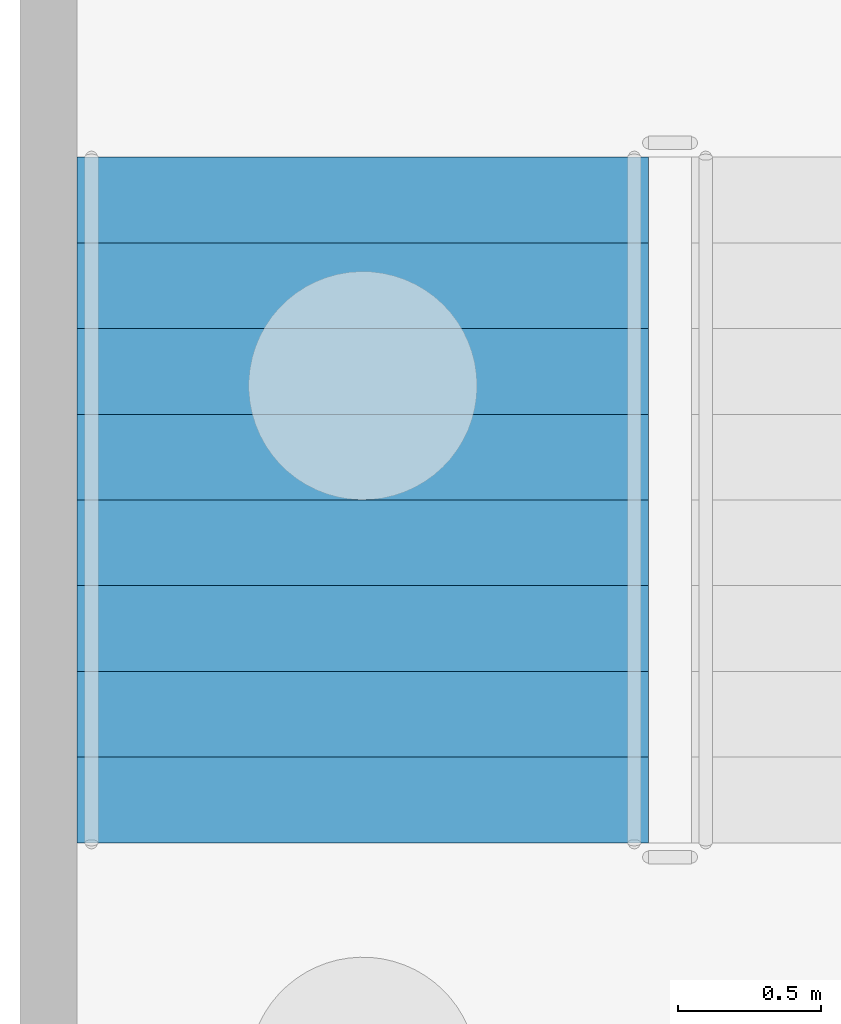
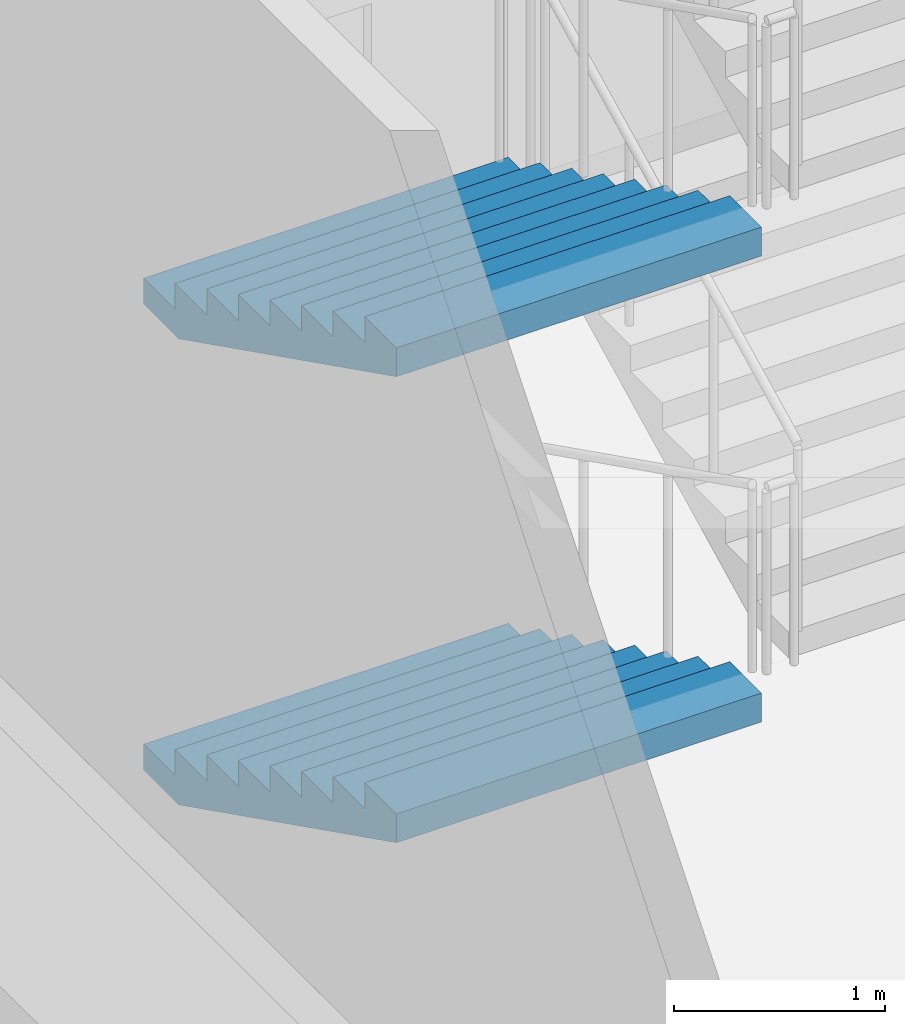
# One storey, part 86 of 129: 2 stair flights, 1 element without a shape of its own.
"""IFC4 building model written with IfcOpenShell, lengths in metres."""

from ifc_helpers import new_model, si_unit, direction, frame, origin, place, context, subcontext, project, spatial, faceted_brep, material, type_object, element, aggregate, save


model = new_model("IFC4")

# Units and contexts
model_context = context("Model", 3, precision=1e-05, world=origin(), true_north=direction((0.0, 1.0)))
body_context = subcontext(model_context, "Body", "Model", "MODEL_VIEW")
ifc_project = project(units=[si_unit("LENGTHUNIT", "METRE"), si_unit("AREAUNIT", "SQUARE_METRE"), si_unit("VOLUMEUNIT", "CUBIC_METRE"), si_unit("PLANEANGLEUNIT", "RADIAN"), si_unit("MASSUNIT", "GRAM", prefix="KILO")], contexts=[model_context])

# Site, building, storey
site_placement = place(None, origin())
site = spatial("IfcSite", under=ifc_project, at=site_placement, CompositionType="ELEMENT")
building_placement = place(site_placement, origin())
building = spatial("IfcBuilding", under=site, at=building_placement, Name="Kiln Court Media Centre", CompositionType="ELEMENT")
storey_placement = place(building_placement, origin())
storey = spatial("IfcBuildingStorey", under=building, at=storey_placement, Name="L00", CompositionType="ELEMENT", Elevation=0.0)

# Stair, stair flights
ifc_material_1 = material(Name="Concrete C40/50", Category="concrete")
stair_type = type_object("IfcStairType", Name="Concrete C40/50 dog-leg stair 2000 wide, 150 riser", PredefinedType="HALF_TURN_STAIR", material=ifc_material_1)
stair_placement = place(storey_placement, origin())
stair = element("IfcStair", 1, at=stair_placement, inside=storey, type_object=stair_type, Name="ST-07 L00", PredefinedType="HALF_TURN_STAIR")
ifc_material_2 = material(Name="Concrete C40/50", Category="concrete")
stair_flight_type = type_object("IfcStairFlightType", Name="Concrete C40/50 stair flight 2000 wide, 150 riser, 300 going", PredefinedType="STRAIGHT", material=ifc_material_2)
stair_flight_1_placement = place(storey_placement, frame((1.199951171875, 64.39990234375, 0.0), z_axis=(0.0, 0.0, 1.0), x_axis=(0.0, -1.0, 0.0)))
stair_flight_1 = element("IfcStairFlight", 2, at=stair_flight_1_placement, type_object=stair_flight_type, Name="L00-ST-5006 flight 5024", NumberOfRisers=9, NumberOfTreads=8, PredefinedType="STRAIGHT", RiserHeight=0.15, TreadLength=0.3, context=body_context, shape_type="Brep", body=[
    faceted_brep([(0.335205078125, -1.0, 0.0), (2.39990234375, -1.0, 1.032470703125), (2.39990234375, -1.0, 1.199951171875), (2.10009765625, -1.0, 1.199951171875), (2.10009765625, -1.0, 1.050048828125), (1.800048828125, -1.0, 1.050048828125), (1.800048828125, -1.0, 0.89990234375), (1.5, -1.0, 0.89990234375), (1.5, -1.0, 0.75), (1.199951171875, -1.0, 0.75), (1.199951171875, -1.0, 0.60009765625), (0.89990234375, -1.0, 0.60009765625), (0.89990234375, -1.0, 0.449951171875), (0.60009765625, -1.0, 0.449951171875), (0.60009765625, -1.0, 0.300048828125), (0.300048828125, -1.0, 0.300048828125), (0.300048828125, -1.0, 0.14990234375), (0.0, -1.0, 0.14990234375), (0.0, -1.0, 0.0), (0.0, 1.0, 0.0), (0.0, 1.0, 0.14990234375), (0.300048828125, 1.0, 0.14990234375), (0.300048828125, 1.0, 0.300048828125), (0.60009765625, 1.0, 0.300048828125), (0.60009765625, 1.0, 0.449951171875), (0.89990234375, 1.0, 0.449951171875), (0.89990234375, 1.0, 0.60009765625), (1.199951171875, 1.0, 0.60009765625), (1.199951171875, 1.0, 0.75), (1.5, 1.0, 0.75), (1.5, 1.0, 0.89990234375), (1.800048828125, 1.0, 0.89990234375), (1.800048828125, 1.0, 1.050048828125), (2.10009765625, 1.0, 1.050048828125), (2.10009765625, 1.0, 1.199951171875), (2.39990234375, 1.0, 1.199951171875), (2.39990234375, 1.0, 1.032470703125), (0.335205078125, 1.0, 0.0), (2.39990234375, 0.10009765625, 1.032470703125), (0.335205078125, 0.10009765625, 0.0), (2.39990234375, 0.080078125, 1.032470703125), (0.335205078125, 0.080078125, 0.0), (2.39990234375, 0.06005859375, 1.032470703125), (0.335205078125, 0.06005859375, 0.0), (2.39990234375, 0.0400390625, 1.032470703125), (0.335205078125, 0.0400390625, 0.0), (2.39990234375, 0.02001953125, 1.032470703125), (0.335205078125, 0.02001953125, 0.0), (2.39990234375, 0.0, 1.032470703125), (0.335205078125, 0.0, 0.0), (2.39990234375, -0.02001953125, 1.032470703125), (0.335205078125, -0.02001953125, 0.0), (2.39990234375, -0.0400390625, 1.032470703125), (0.335205078125, -0.0400390625, 0.0), (2.39990234375, -0.06005859375, 1.032470703125), (0.335205078125, -0.06005859375, 0.0), (2.39990234375, -0.080078125, 1.032470703125), (0.335205078125, -0.080078125, 0.0), (2.39990234375, -0.10009765625, 1.032470703125), (0.335205078125, -0.10009765625, 0.0), (2.39990234375, 0.10009765625, 1.199951171875), (2.39990234375, 0.080078125, 1.199951171875), (2.39990234375, 0.06005859375, 1.199951171875), (2.39990234375, 0.0400390625, 1.199951171875), (2.39990234375, 0.02001953125, 1.199951171875), (2.39990234375, 0.0, 1.199951171875), (2.39990234375, -0.02001953125, 1.199951171875), (2.39990234375, -0.0400390625, 1.199951171875), (2.39990234375, -0.06005859375, 1.199951171875), (2.39990234375, -0.080078125, 1.199951171875), (2.39990234375, -0.10009765625, 1.199951171875), (2.10009765625, 0.10009765625, 1.199951171875), (2.10009765625, 0.080078125, 1.199951171875), (2.10009765625, 0.06005859375, 1.199951171875), (2.10009765625, 0.0400390625, 1.199951171875), (2.10009765625, 0.02001953125, 1.199951171875), (2.10009765625, 0.0, 1.199951171875), (2.10009765625, -0.02001953125, 1.199951171875), (2.10009765625, -0.0400390625, 1.199951171875), (2.10009765625, -0.06005859375, 1.199951171875), (2.10009765625, -0.080078125, 1.199951171875), (2.10009765625, -0.10009765625, 1.199951171875), (2.10009765625, 0.10009765625, 1.050048828125), (2.10009765625, 0.080078125, 1.050048828125), (2.10009765625, 0.06005859375, 1.050048828125), (2.10009765625, 0.0400390625, 1.050048828125), (2.10009765625, 0.02001953125, 1.050048828125), (2.10009765625, 0.0, 1.050048828125), (2.10009765625, -0.02001953125, 1.050048828125), (2.10009765625, -0.0400390625, 1.050048828125), (2.10009765625, -0.06005859375, 1.050048828125), (2.10009765625, -0.080078125, 1.050048828125), (2.10009765625, -0.10009765625, 1.050048828125), (1.800048828125, 0.10009765625, 1.050048828125), (1.800048828125, 0.080078125, 1.050048828125), (1.800048828125, 0.06005859375, 1.050048828125), (1.800048828125, 0.0400390625, 1.050048828125), (1.800048828125, 0.02001953125, 1.050048828125), (1.800048828125, 0.0, 1.050048828125), (1.800048828125, -0.02001953125, 1.050048828125), (1.800048828125, -0.0400390625, 1.050048828125), (1.800048828125, -0.06005859375, 1.050048828125), (1.800048828125, -0.080078125, 1.050048828125), (1.800048828125, -0.10009765625, 1.050048828125), (1.800048828125, 0.10009765625, 0.89990234375), (1.800048828125, 0.080078125, 0.89990234375), (1.800048828125, 0.06005859375, 0.89990234375), (1.800048828125, 0.0400390625, 0.89990234375), (1.800048828125, 0.02001953125, 0.89990234375), (1.800048828125, 0.0, 0.89990234375), (1.800048828125, -0.02001953125, 0.89990234375), (1.800048828125, -0.0400390625, 0.89990234375), (1.800048828125, -0.06005859375, 0.89990234375), (1.800048828125, -0.080078125, 0.89990234375), (1.800048828125, -0.10009765625, 0.89990234375), (1.5, 0.10009765625, 0.89990234375), (1.5, 0.080078125, 0.89990234375), (1.5, 0.06005859375, 0.89990234375), (1.5, 0.0400390625, 0.89990234375), (1.5, 0.02001953125, 0.89990234375), (1.5, 0.0, 0.89990234375), (1.5, -0.02001953125, 0.89990234375), (1.5, -0.0400390625, 0.89990234375), (1.5, -0.06005859375, 0.89990234375), (1.5, -0.080078125, 0.89990234375), (1.5, -0.10009765625, 0.89990234375), (1.5, 0.10009765625, 0.75), (1.5, 0.080078125, 0.75), (1.5, 0.06005859375, 0.75), (1.5, 0.0400390625, 0.75), (1.5, 0.02001953125, 0.75), (1.5, 0.0, 0.75), (1.5, -0.02001953125, 0.75), (1.5, -0.0400390625, 0.75), (1.5, -0.06005859375, 0.75), (1.5, -0.080078125, 0.75), (1.5, -0.10009765625, 0.75), (1.199951171875, 0.10009765625, 0.75), (1.199951171875, 0.080078125, 0.75), (1.199951171875, 0.06005859375, 0.75), (1.199951171875, 0.0400390625, 0.75), (1.199951171875, 0.02001953125, 0.75), (1.199951171875, 0.0, 0.75), (1.199951171875, -0.02001953125, 0.75), (1.199951171875, -0.0400390625, 0.75), (1.199951171875, -0.06005859375, 0.75), (1.199951171875, -0.080078125, 0.75), (1.199951171875, -0.10009765625, 0.75), (1.199951171875, 0.10009765625, 0.60009765625), (1.199951171875, 0.080078125, 0.60009765625), (1.199951171875, 0.06005859375, 0.60009765625), (1.199951171875, 0.0400390625, 0.60009765625), (1.199951171875, 0.02001953125, 0.60009765625), (1.199951171875, 0.0, 0.60009765625), (1.199951171875, -0.02001953125, 0.60009765625), (1.199951171875, -0.0400390625, 0.60009765625), (1.199951171875, -0.06005859375, 0.60009765625), (1.199951171875, -0.080078125, 0.60009765625), (1.199951171875, -0.10009765625, 0.60009765625), (0.89990234375, 0.10009765625, 0.60009765625), (0.89990234375, 0.080078125, 0.60009765625), (0.89990234375, 0.06005859375, 0.60009765625), (0.89990234375, 0.0400390625, 0.60009765625), (0.89990234375, 0.02001953125, 0.60009765625), (0.89990234375, 0.0, 0.60009765625), (0.89990234375, -0.02001953125, 0.60009765625), (0.89990234375, -0.0400390625, 0.60009765625), (0.89990234375, -0.06005859375, 0.60009765625), (0.89990234375, -0.080078125, 0.60009765625), (0.89990234375, -0.10009765625, 0.60009765625), (0.89990234375, 0.10009765625, 0.449951171875), (0.89990234375, 0.080078125, 0.449951171875), (0.89990234375, 0.06005859375, 0.449951171875), (0.89990234375, 0.0400390625, 0.449951171875), (0.89990234375, 0.02001953125, 0.449951171875), (0.89990234375, 0.0, 0.449951171875), (0.89990234375, -0.02001953125, 0.449951171875), (0.89990234375, -0.0400390625, 0.449951171875), (0.89990234375, -0.06005859375, 0.449951171875), (0.89990234375, -0.080078125, 0.449951171875), (0.89990234375, -0.10009765625, 0.449951171875), (0.60009765625, 0.10009765625, 0.449951171875), (0.60009765625, 0.080078125, 0.449951171875), (0.60009765625, 0.06005859375, 0.449951171875), (0.60009765625, 0.0400390625, 0.449951171875), (0.60009765625, 0.02001953125, 0.449951171875), (0.60009765625, 0.0, 0.449951171875), (0.60009765625, -0.02001953125, 0.449951171875), (0.60009765625, -0.0400390625, 0.449951171875), (0.60009765625, -0.06005859375, 0.449951171875), (0.60009765625, -0.080078125, 0.449951171875), (0.60009765625, -0.10009765625, 0.449951171875), (0.60009765625, 0.10009765625, 0.300048828125), (0.60009765625, 0.080078125, 0.300048828125), (0.60009765625, 0.06005859375, 0.300048828125), (0.60009765625, 0.0400390625, 0.300048828125), (0.60009765625, 0.02001953125, 0.300048828125), (0.60009765625, 0.0, 0.300048828125), (0.60009765625, -0.02001953125, 0.300048828125), (0.60009765625, -0.0400390625, 0.300048828125), (0.60009765625, -0.06005859375, 0.300048828125), (0.60009765625, -0.080078125, 0.300048828125), (0.60009765625, -0.10009765625, 0.300048828125), (0.300048828125, 0.10009765625, 0.300048828125), (0.300048828125, 0.080078125, 0.300048828125), (0.300048828125, 0.06005859375, 0.300048828125), (0.300048828125, 0.0400390625, 0.300048828125), (0.300048828125, 0.02001953125, 0.300048828125), (0.300048828125, 0.0, 0.300048828125), (0.300048828125, -0.02001953125, 0.300048828125), (0.300048828125, -0.0400390625, 0.300048828125), (0.300048828125, -0.06005859375, 0.300048828125), (0.300048828125, -0.080078125, 0.300048828125), (0.300048828125, -0.10009765625, 0.300048828125), (0.300048828125, 0.10009765625, 0.14990234375), (0.300048828125, 0.080078125, 0.14990234375), (0.300048828125, 0.06005859375, 0.14990234375), (0.300048828125, 0.0400390625, 0.14990234375), (0.300048828125, 0.02001953125, 0.14990234375), (0.300048828125, 0.0, 0.14990234375), (0.300048828125, -0.02001953125, 0.14990234375), (0.300048828125, -0.0400390625, 0.14990234375), (0.300048828125, -0.06005859375, 0.14990234375), (0.300048828125, -0.080078125, 0.14990234375), (0.300048828125, -0.10009765625, 0.14990234375), (0.0, 0.10009765625, 0.14990234375), (0.0, 0.080078125, 0.14990234375), (0.0, 0.06005859375, 0.14990234375), (0.0, 0.0400390625, 0.14990234375), (0.0, 0.02001953125, 0.14990234375), (0.0, 0.0, 0.14990234375), (0.0, -0.02001953125, 0.14990234375), (0.0, -0.0400390625, 0.14990234375), (0.0, -0.06005859375, 0.14990234375), (0.0, -0.080078125, 0.14990234375), (0.0, -0.10009765625, 0.14990234375), (0.0, 0.10009765625, 0.0), (0.0, 0.080078125, 0.0), (0.0, 0.06005859375, 0.0), (0.0, 0.0400390625, 0.0), (0.0, 0.02001953125, 0.0), (0.0, 0.0, 0.0), (0.0, -0.02001953125, 0.0), (0.0, -0.0400390625, 0.0), (0.0, -0.06005859375, 0.0), (0.0, -0.080078125, 0.0), (0.0, -0.10009765625, 0.0)], [[[0, 1, 2, 3, 4, 5, 6, 7, 8, 9, 10, 11, 12, 13, 14, 15, 16, 17, 18]], [[19, 20, 21, 22, 23, 24, 25, 26, 27, 28, 29, 30, 31, 32, 33, 34, 35, 36, 37]], [[37, 36, 38, 39]], [[39, 38, 40, 41]], [[41, 40, 42, 43]], [[43, 42, 44, 45]], [[45, 44, 46, 47]], [[47, 46, 48, 49]], [[49, 48, 50, 51]], [[51, 50, 52, 53]], [[53, 52, 54, 55]], [[55, 54, 56, 57]], [[57, 56, 58, 59]], [[59, 58, 1, 0]], [[36, 35, 60, 38]], [[38, 60, 61, 40]], [[40, 61, 62, 42]], [[42, 62, 63, 44]], [[44, 63, 64, 46]], [[46, 64, 65, 48]], [[48, 65, 66, 50]], [[50, 66, 67, 52]], [[52, 67, 68, 54]], [[54, 68, 69, 56]], [[56, 69, 70, 58]], [[58, 70, 2, 1]], [[35, 34, 71, 60]], [[60, 71, 72, 61]], [[61, 72, 73, 62]], [[62, 73, 74, 63]], [[63, 74, 75, 64]], [[64, 75, 76, 65]], [[65, 76, 77, 66]], [[66, 77, 78, 67]], [[67, 78, 79, 68]], [[68, 79, 80, 69]], [[69, 80, 81, 70]], [[70, 81, 3, 2]], [[34, 33, 82, 71]], [[71, 82, 83, 72]], [[72, 83, 84, 73]], [[73, 84, 85, 74]], [[74, 85, 86, 75]], [[75, 86, 87, 76]], [[76, 87, 88, 77]], [[77, 88, 89, 78]], [[78, 89, 90, 79]], [[79, 90, 91, 80]], [[80, 91, 92, 81]], [[81, 92, 4, 3]], [[33, 32, 93, 82]], [[82, 93, 94, 83]], [[83, 94, 95, 84]], [[84, 95, 96, 85]], [[85, 96, 97, 86]], [[86, 97, 98, 87]], [[87, 98, 99, 88]], [[88, 99, 100, 89]], [[89, 100, 101, 90]], [[90, 101, 102, 91]], [[91, 102, 103, 92]], [[92, 103, 5, 4]], [[32, 31, 104, 93]], [[93, 104, 105, 94]], [[94, 105, 106, 95]], [[95, 106, 107, 96]], [[96, 107, 108, 97]], [[97, 108, 109, 98]], [[98, 109, 110, 99]], [[99, 110, 111, 100]], [[100, 111, 112, 101]], [[101, 112, 113, 102]], [[102, 113, 114, 103]], [[103, 114, 6, 5]], [[31, 30, 115, 104]], [[104, 115, 116, 105]], [[105, 116, 117, 106]], [[106, 117, 118, 107]], [[107, 118, 119, 108]], [[108, 119, 120, 109]], [[109, 120, 121, 110]], [[110, 121, 122, 111]], [[111, 122, 123, 112]], [[112, 123, 124, 113]], [[113, 124, 125, 114]], [[114, 125, 7, 6]], [[30, 29, 126, 115]], [[115, 126, 127, 116]], [[116, 127, 128, 117]], [[117, 128, 129, 118]], [[118, 129, 130, 119]], [[119, 130, 131, 120]], [[120, 131, 132, 121]], [[121, 132, 133, 122]], [[122, 133, 134, 123]], [[123, 134, 135, 124]], [[124, 135, 136, 125]], [[125, 136, 8, 7]], [[29, 28, 137, 126]], [[126, 137, 138, 127]], [[127, 138, 139, 128]], [[128, 139, 140, 129]], [[129, 140, 141, 130]], [[130, 141, 142, 131]], [[131, 142, 143, 132]], [[132, 143, 144, 133]], [[133, 144, 145, 134]], [[134, 145, 146, 135]], [[135, 146, 147, 136]], [[136, 147, 9, 8]], [[28, 27, 148, 137]], [[137, 148, 149, 138]], [[138, 149, 150, 139]], [[139, 150, 151, 140]], [[140, 151, 152, 141]], [[141, 152, 153, 142]], [[142, 153, 154, 143]], [[143, 154, 155, 144]], [[144, 155, 156, 145]], [[145, 156, 157, 146]], [[146, 157, 158, 147]], [[147, 158, 10, 9]], [[27, 26, 159, 148]], [[148, 159, 160, 149]], [[149, 160, 161, 150]], [[150, 161, 162, 151]], [[151, 162, 163, 152]], [[152, 163, 164, 153]], [[153, 164, 165, 154]], [[154, 165, 166, 155]], [[155, 166, 167, 156]], [[156, 167, 168, 157]], [[157, 168, 169, 158]], [[158, 169, 11, 10]], [[26, 25, 170, 159]], [[159, 170, 171, 160]], [[160, 171, 172, 161]], [[161, 172, 173, 162]], [[162, 173, 174, 163]], [[163, 174, 175, 164]], [[164, 175, 176, 165]], [[165, 176, 177, 166]], [[166, 177, 178, 167]], [[167, 178, 179, 168]], [[168, 179, 180, 169]], [[169, 180, 12, 11]], [[25, 24, 181, 170]], [[170, 181, 182, 171]], [[171, 182, 183, 172]], [[172, 183, 184, 173]], [[173, 184, 185, 174]], [[174, 185, 186, 175]], [[175, 186, 187, 176]], [[176, 187, 188, 177]], [[177, 188, 189, 178]], [[178, 189, 190, 179]], [[179, 190, 191, 180]], [[180, 191, 13, 12]], [[24, 23, 192, 181]], [[181, 192, 193, 182]], [[182, 193, 194, 183]], [[183, 194, 195, 184]], [[184, 195, 196, 185]], [[185, 196, 197, 186]], [[186, 197, 198, 187]], [[187, 198, 199, 188]], [[188, 199, 200, 189]], [[189, 200, 201, 190]], [[190, 201, 202, 191]], [[191, 202, 14, 13]], [[23, 22, 203, 192]], [[192, 203, 204, 193]], [[193, 204, 205, 194]], [[194, 205, 206, 195]], [[195, 206, 207, 196]], [[196, 207, 208, 197]], [[197, 208, 209, 198]], [[198, 209, 210, 199]], [[199, 210, 211, 200]], [[200, 211, 212, 201]], [[201, 212, 213, 202]], [[202, 213, 15, 14]], [[22, 21, 214, 203]], [[203, 214, 215, 204]], [[204, 215, 216, 205]], [[205, 216, 217, 206]], [[206, 217, 218, 207]], [[207, 218, 219, 208]], [[208, 219, 220, 209]], [[209, 220, 221, 210]], [[210, 221, 222, 211]], [[211, 222, 223, 212]], [[212, 223, 224, 213]], [[213, 224, 16, 15]], [[21, 20, 225, 214]], [[214, 225, 226, 215]], [[215, 226, 227, 216]], [[216, 227, 228, 217]], [[217, 228, 229, 218]], [[218, 229, 230, 219]], [[219, 230, 231, 220]], [[220, 231, 232, 221]], [[221, 232, 233, 222]], [[222, 233, 234, 223]], [[223, 234, 235, 224]], [[224, 235, 17, 16]], [[20, 19, 236, 225]], [[225, 236, 237, 226]], [[226, 237, 238, 227]], [[227, 238, 239, 228]], [[228, 239, 240, 229]], [[229, 240, 241, 230]], [[230, 241, 242, 231]], [[231, 242, 243, 232]], [[232, 243, 244, 233]], [[233, 244, 245, 234]], [[234, 245, 246, 235]], [[235, 246, 18, 17]], [[19, 37, 39, 236]], [[236, 39, 41, 237]], [[237, 41, 43, 238]], [[238, 43, 45, 239]], [[239, 45, 47, 240]], [[240, 47, 49, 241]], [[241, 49, 51, 242]], [[242, 51, 53, 243]], [[243, 53, 55, 244]], [[244, 55, 57, 245]], [[245, 57, 59, 246]], [[246, 59, 0, 18]]]),
])
stair_flight_2_placement = place(storey_placement, frame((1.199951171875, 64.39990234375, 2.699951171875), z_axis=(0.0, 0.0, 1.0), x_axis=(0.0, -1.0, 0.0)))
stair_flight_2 = element("IfcStairFlight", 3, at=stair_flight_2_placement, type_object=stair_flight_type, Name="L00-ST-5006 flight 5026", NumberOfRisers=9, NumberOfTreads=8, PredefinedType="STRAIGHT", RiserHeight=0.15, TreadLength=0.3, context=body_context, shape_type="Brep", body=[
    faceted_brep([(0.335205078125, -1.0, 0.0), (2.39990234375, -1.0, 1.032470703125), (2.39990234375, -1.0, 1.199951171875), (2.10009765625, -1.0, 1.199951171875), (2.10009765625, -1.0, 1.050048828125), (1.800048828125, -1.0, 1.050048828125), (1.800048828125, -1.0, 0.89990234375), (1.5, -1.0, 0.89990234375), (1.5, -1.0, 0.75), (1.199951171875, -1.0, 0.75), (1.199951171875, -1.0, 0.60009765625), (0.89990234375, -1.0, 0.60009765625), (0.89990234375, -1.0, 0.449951171875), (0.60009765625, -1.0, 0.449951171875), (0.60009765625, -1.0, 0.300048828125), (0.300048828125, -1.0, 0.300048828125), (0.300048828125, -1.0, 0.14990234375), (0.0, -1.0, 0.14990234375), (0.0, -1.0, 0.0), (0.0, 1.0, 0.0), (0.0, 1.0, 0.14990234375), (0.300048828125, 1.0, 0.14990234375), (0.300048828125, 1.0, 0.300048828125), (0.60009765625, 1.0, 0.300048828125), (0.60009765625, 1.0, 0.449951171875), (0.89990234375, 1.0, 0.449951171875), (0.89990234375, 1.0, 0.60009765625), (1.199951171875, 1.0, 0.60009765625), (1.199951171875, 1.0, 0.75), (1.5, 1.0, 0.75), (1.5, 1.0, 0.89990234375), (1.800048828125, 1.0, 0.89990234375), (1.800048828125, 1.0, 1.050048828125), (2.10009765625, 1.0, 1.050048828125), (2.10009765625, 1.0, 1.199951171875), (2.39990234375, 1.0, 1.199951171875), (2.39990234375, 1.0, 1.032470703125), (0.335205078125, 1.0, 0.0), (2.39990234375, 0.10009765625, 1.032470703125), (0.335205078125, 0.10009765625, 0.0), (2.39990234375, 0.080078125, 1.032470703125), (0.335205078125, 0.080078125, 0.0), (2.39990234375, 0.06005859375, 1.032470703125), (0.335205078125, 0.06005859375, 0.0), (2.39990234375, 0.0400390625, 1.032470703125), (0.335205078125, 0.0400390625, 0.0), (2.39990234375, 0.02001953125, 1.032470703125), (0.335205078125, 0.02001953125, 0.0), (2.39990234375, 0.0, 1.032470703125), (0.335205078125, 0.0, 0.0), (2.39990234375, -0.02001953125, 1.032470703125), (0.335205078125, -0.02001953125, 0.0), (2.39990234375, -0.0400390625, 1.032470703125), (0.335205078125, -0.0400390625, 0.0), (2.39990234375, -0.06005859375, 1.032470703125), (0.335205078125, -0.06005859375, 0.0), (2.39990234375, -0.080078125, 1.032470703125), (0.335205078125, -0.080078125, 0.0), (2.39990234375, -0.10009765625, 1.032470703125), (0.335205078125, -0.10009765625, 0.0), (2.39990234375, 0.10009765625, 1.199951171875), (2.39990234375, 0.080078125, 1.199951171875), (2.39990234375, 0.06005859375, 1.199951171875), (2.39990234375, 0.0400390625, 1.199951171875), (2.39990234375, 0.02001953125, 1.199951171875), (2.39990234375, 0.0, 1.199951171875), (2.39990234375, -0.02001953125, 1.199951171875), (2.39990234375, -0.0400390625, 1.199951171875), (2.39990234375, -0.06005859375, 1.199951171875), (2.39990234375, -0.080078125, 1.199951171875), (2.39990234375, -0.10009765625, 1.199951171875), (2.10009765625, 0.10009765625, 1.199951171875), (2.10009765625, 0.080078125, 1.199951171875), (2.10009765625, 0.06005859375, 1.199951171875), (2.10009765625, 0.0400390625, 1.199951171875), (2.10009765625, 0.02001953125, 1.199951171875), (2.10009765625, 0.0, 1.199951171875), (2.10009765625, -0.02001953125, 1.199951171875), (2.10009765625, -0.0400390625, 1.199951171875), (2.10009765625, -0.06005859375, 1.199951171875), (2.10009765625, -0.080078125, 1.199951171875), (2.10009765625, -0.10009765625, 1.199951171875), (2.10009765625, 0.10009765625, 1.050048828125), (2.10009765625, 0.080078125, 1.050048828125), (2.10009765625, 0.06005859375, 1.050048828125), (2.10009765625, 0.0400390625, 1.050048828125), (2.10009765625, 0.02001953125, 1.050048828125), (2.10009765625, 0.0, 1.050048828125), (2.10009765625, -0.02001953125, 1.050048828125), (2.10009765625, -0.0400390625, 1.050048828125), (2.10009765625, -0.06005859375, 1.050048828125), (2.10009765625, -0.080078125, 1.050048828125), (2.10009765625, -0.10009765625, 1.050048828125), (1.800048828125, 0.10009765625, 1.050048828125), (1.800048828125, 0.080078125, 1.050048828125), (1.800048828125, 0.06005859375, 1.050048828125), (1.800048828125, 0.0400390625, 1.050048828125), (1.800048828125, 0.02001953125, 1.050048828125), (1.800048828125, 0.0, 1.050048828125), (1.800048828125, -0.02001953125, 1.050048828125), (1.800048828125, -0.0400390625, 1.050048828125), (1.800048828125, -0.06005859375, 1.050048828125), (1.800048828125, -0.080078125, 1.050048828125), (1.800048828125, -0.10009765625, 1.050048828125), (1.800048828125, 0.10009765625, 0.89990234375), (1.800048828125, 0.080078125, 0.89990234375), (1.800048828125, 0.06005859375, 0.89990234375), (1.800048828125, 0.0400390625, 0.89990234375), (1.800048828125, 0.02001953125, 0.89990234375), (1.800048828125, 0.0, 0.89990234375), (1.800048828125, -0.02001953125, 0.89990234375), (1.800048828125, -0.0400390625, 0.89990234375), (1.800048828125, -0.06005859375, 0.89990234375), (1.800048828125, -0.080078125, 0.89990234375), (1.800048828125, -0.10009765625, 0.89990234375), (1.5, 0.10009765625, 0.89990234375), (1.5, 0.080078125, 0.89990234375), (1.5, 0.06005859375, 0.89990234375), (1.5, 0.0400390625, 0.89990234375), (1.5, 0.02001953125, 0.89990234375), (1.5, 0.0, 0.89990234375), (1.5, -0.02001953125, 0.89990234375), (1.5, -0.0400390625, 0.89990234375), (1.5, -0.06005859375, 0.89990234375), (1.5, -0.080078125, 0.89990234375), (1.5, -0.10009765625, 0.89990234375), (1.5, 0.10009765625, 0.75), (1.5, 0.080078125, 0.75), (1.5, 0.06005859375, 0.75), (1.5, 0.0400390625, 0.75), (1.5, 0.02001953125, 0.75), (1.5, 0.0, 0.75), (1.5, -0.02001953125, 0.75), (1.5, -0.0400390625, 0.75), (1.5, -0.06005859375, 0.75), (1.5, -0.080078125, 0.75), (1.5, -0.10009765625, 0.75), (1.199951171875, 0.10009765625, 0.75), (1.199951171875, 0.080078125, 0.75), (1.199951171875, 0.06005859375, 0.75), (1.199951171875, 0.0400390625, 0.75), (1.199951171875, 0.02001953125, 0.75), (1.199951171875, 0.0, 0.75), (1.199951171875, -0.02001953125, 0.75), (1.199951171875, -0.0400390625, 0.75), (1.199951171875, -0.06005859375, 0.75), (1.199951171875, -0.080078125, 0.75), (1.199951171875, -0.10009765625, 0.75), (1.199951171875, 0.10009765625, 0.60009765625), (1.199951171875, 0.080078125, 0.60009765625), (1.199951171875, 0.06005859375, 0.60009765625), (1.199951171875, 0.0400390625, 0.60009765625), (1.199951171875, 0.02001953125, 0.60009765625), (1.199951171875, 0.0, 0.60009765625), (1.199951171875, -0.02001953125, 0.60009765625), (1.199951171875, -0.0400390625, 0.60009765625), (1.199951171875, -0.06005859375, 0.60009765625), (1.199951171875, -0.080078125, 0.60009765625), (1.199951171875, -0.10009765625, 0.60009765625), (0.89990234375, 0.10009765625, 0.60009765625), (0.89990234375, 0.080078125, 0.60009765625), (0.89990234375, 0.06005859375, 0.60009765625), (0.89990234375, 0.0400390625, 0.60009765625), (0.89990234375, 0.02001953125, 0.60009765625), (0.89990234375, 0.0, 0.60009765625), (0.89990234375, -0.02001953125, 0.60009765625), (0.89990234375, -0.0400390625, 0.60009765625), (0.89990234375, -0.06005859375, 0.60009765625), (0.89990234375, -0.080078125, 0.60009765625), (0.89990234375, -0.10009765625, 0.60009765625), (0.89990234375, 0.10009765625, 0.449951171875), (0.89990234375, 0.080078125, 0.449951171875), (0.89990234375, 0.06005859375, 0.449951171875), (0.89990234375, 0.0400390625, 0.449951171875), (0.89990234375, 0.02001953125, 0.449951171875), (0.89990234375, 0.0, 0.449951171875), (0.89990234375, -0.02001953125, 0.449951171875), (0.89990234375, -0.0400390625, 0.449951171875), (0.89990234375, -0.06005859375, 0.449951171875), (0.89990234375, -0.080078125, 0.449951171875), (0.89990234375, -0.10009765625, 0.449951171875), (0.60009765625, 0.10009765625, 0.449951171875), (0.60009765625, 0.080078125, 0.449951171875), (0.60009765625, 0.06005859375, 0.449951171875), (0.60009765625, 0.0400390625, 0.449951171875), (0.60009765625, 0.02001953125, 0.449951171875), (0.60009765625, 0.0, 0.449951171875), (0.60009765625, -0.02001953125, 0.449951171875), (0.60009765625, -0.0400390625, 0.449951171875), (0.60009765625, -0.06005859375, 0.449951171875), (0.60009765625, -0.080078125, 0.449951171875), (0.60009765625, -0.10009765625, 0.449951171875), (0.60009765625, 0.10009765625, 0.300048828125), (0.60009765625, 0.080078125, 0.300048828125), (0.60009765625, 0.06005859375, 0.300048828125), (0.60009765625, 0.0400390625, 0.300048828125), (0.60009765625, 0.02001953125, 0.300048828125), (0.60009765625, 0.0, 0.300048828125), (0.60009765625, -0.02001953125, 0.300048828125), (0.60009765625, -0.0400390625, 0.300048828125), (0.60009765625, -0.06005859375, 0.300048828125), (0.60009765625, -0.080078125, 0.300048828125), (0.60009765625, -0.10009765625, 0.300048828125), (0.300048828125, 0.10009765625, 0.300048828125), (0.300048828125, 0.080078125, 0.300048828125), (0.300048828125, 0.06005859375, 0.300048828125), (0.300048828125, 0.0400390625, 0.300048828125), (0.300048828125, 0.02001953125, 0.300048828125), (0.300048828125, 0.0, 0.300048828125), (0.300048828125, -0.02001953125, 0.300048828125), (0.300048828125, -0.0400390625, 0.300048828125), (0.300048828125, -0.06005859375, 0.300048828125), (0.300048828125, -0.080078125, 0.300048828125), (0.300048828125, -0.10009765625, 0.300048828125), (0.300048828125, 0.10009765625, 0.14990234375), (0.300048828125, 0.080078125, 0.14990234375), (0.300048828125, 0.06005859375, 0.14990234375), (0.300048828125, 0.0400390625, 0.14990234375), (0.300048828125, 0.02001953125, 0.14990234375), (0.300048828125, 0.0, 0.14990234375), (0.300048828125, -0.02001953125, 0.14990234375), (0.300048828125, -0.0400390625, 0.14990234375), (0.300048828125, -0.06005859375, 0.14990234375), (0.300048828125, -0.080078125, 0.14990234375), (0.300048828125, -0.10009765625, 0.14990234375), (0.0, 0.10009765625, 0.14990234375), (0.0, 0.080078125, 0.14990234375), (0.0, 0.06005859375, 0.14990234375), (0.0, 0.0400390625, 0.14990234375), (0.0, 0.02001953125, 0.14990234375), (0.0, 0.0, 0.14990234375), (0.0, -0.02001953125, 0.14990234375), (0.0, -0.0400390625, 0.14990234375), (0.0, -0.06005859375, 0.14990234375), (0.0, -0.080078125, 0.14990234375), (0.0, -0.10009765625, 0.14990234375), (0.0, 0.10009765625, 0.0), (0.0, 0.080078125, 0.0), (0.0, 0.06005859375, 0.0), (0.0, 0.0400390625, 0.0), (0.0, 0.02001953125, 0.0), (0.0, 0.0, 0.0), (0.0, -0.02001953125, 0.0), (0.0, -0.0400390625, 0.0), (0.0, -0.06005859375, 0.0), (0.0, -0.080078125, 0.0), (0.0, -0.10009765625, 0.0)], [[[0, 1, 2, 3, 4, 5, 6, 7, 8, 9, 10, 11, 12, 13, 14, 15, 16, 17, 18]], [[19, 20, 21, 22, 23, 24, 25, 26, 27, 28, 29, 30, 31, 32, 33, 34, 35, 36, 37]], [[37, 36, 38, 39]], [[39, 38, 40, 41]], [[41, 40, 42, 43]], [[43, 42, 44, 45]], [[45, 44, 46, 47]], [[47, 46, 48, 49]], [[49, 48, 50, 51]], [[51, 50, 52, 53]], [[53, 52, 54, 55]], [[55, 54, 56, 57]], [[57, 56, 58, 59]], [[59, 58, 1, 0]], [[36, 35, 60, 38]], [[38, 60, 61, 40]], [[40, 61, 62, 42]], [[42, 62, 63, 44]], [[44, 63, 64, 46]], [[46, 64, 65, 48]], [[48, 65, 66, 50]], [[50, 66, 67, 52]], [[52, 67, 68, 54]], [[54, 68, 69, 56]], [[56, 69, 70, 58]], [[58, 70, 2, 1]], [[35, 34, 71, 60]], [[60, 71, 72, 61]], [[61, 72, 73, 62]], [[62, 73, 74, 63]], [[63, 74, 75, 64]], [[64, 75, 76, 65]], [[65, 76, 77, 66]], [[66, 77, 78, 67]], [[67, 78, 79, 68]], [[68, 79, 80, 69]], [[69, 80, 81, 70]], [[70, 81, 3, 2]], [[34, 33, 82, 71]], [[71, 82, 83, 72]], [[72, 83, 84, 73]], [[73, 84, 85, 74]], [[74, 85, 86, 75]], [[75, 86, 87, 76]], [[76, 87, 88, 77]], [[77, 88, 89, 78]], [[78, 89, 90, 79]], [[79, 90, 91, 80]], [[80, 91, 92, 81]], [[81, 92, 4, 3]], [[33, 32, 93, 82]], [[82, 93, 94, 83]], [[83, 94, 95, 84]], [[84, 95, 96, 85]], [[85, 96, 97, 86]], [[86, 97, 98, 87]], [[87, 98, 99, 88]], [[88, 99, 100, 89]], [[89, 100, 101, 90]], [[90, 101, 102, 91]], [[91, 102, 103, 92]], [[92, 103, 5, 4]], [[32, 31, 104, 93]], [[93, 104, 105, 94]], [[94, 105, 106, 95]], [[95, 106, 107, 96]], [[96, 107, 108, 97]], [[97, 108, 109, 98]], [[98, 109, 110, 99]], [[99, 110, 111, 100]], [[100, 111, 112, 101]], [[101, 112, 113, 102]], [[102, 113, 114, 103]], [[103, 114, 6, 5]], [[31, 30, 115, 104]], [[104, 115, 116, 105]], [[105, 116, 117, 106]], [[106, 117, 118, 107]], [[107, 118, 119, 108]], [[108, 119, 120, 109]], [[109, 120, 121, 110]], [[110, 121, 122, 111]], [[111, 122, 123, 112]], [[112, 123, 124, 113]], [[113, 124, 125, 114]], [[114, 125, 7, 6]], [[30, 29, 126, 115]], [[115, 126, 127, 116]], [[116, 127, 128, 117]], [[117, 128, 129, 118]], [[118, 129, 130, 119]], [[119, 130, 131, 120]], [[120, 131, 132, 121]], [[121, 132, 133, 122]], [[122, 133, 134, 123]], [[123, 134, 135, 124]], [[124, 135, 136, 125]], [[125, 136, 8, 7]], [[29, 28, 137, 126]], [[126, 137, 138, 127]], [[127, 138, 139, 128]], [[128, 139, 140, 129]], [[129, 140, 141, 130]], [[130, 141, 142, 131]], [[131, 142, 143, 132]], [[132, 143, 144, 133]], [[133, 144, 145, 134]], [[134, 145, 146, 135]], [[135, 146, 147, 136]], [[136, 147, 9, 8]], [[28, 27, 148, 137]], [[137, 148, 149, 138]], [[138, 149, 150, 139]], [[139, 150, 151, 140]], [[140, 151, 152, 141]], [[141, 152, 153, 142]], [[142, 153, 154, 143]], [[143, 154, 155, 144]], [[144, 155, 156, 145]], [[145, 156, 157, 146]], [[146, 157, 158, 147]], [[147, 158, 10, 9]], [[27, 26, 159, 148]], [[148, 159, 160, 149]], [[149, 160, 161, 150]], [[150, 161, 162, 151]], [[151, 162, 163, 152]], [[152, 163, 164, 153]], [[153, 164, 165, 154]], [[154, 165, 166, 155]], [[155, 166, 167, 156]], [[156, 167, 168, 157]], [[157, 168, 169, 158]], [[158, 169, 11, 10]], [[26, 25, 170, 159]], [[159, 170, 171, 160]], [[160, 171, 172, 161]], [[161, 172, 173, 162]], [[162, 173, 174, 163]], [[163, 174, 175, 164]], [[164, 175, 176, 165]], [[165, 176, 177, 166]], [[166, 177, 178, 167]], [[167, 178, 179, 168]], [[168, 179, 180, 169]], [[169, 180, 12, 11]], [[25, 24, 181, 170]], [[170, 181, 182, 171]], [[171, 182, 183, 172]], [[172, 183, 184, 173]], [[173, 184, 185, 174]], [[174, 185, 186, 175]], [[175, 186, 187, 176]], [[176, 187, 188, 177]], [[177, 188, 189, 178]], [[178, 189, 190, 179]], [[179, 190, 191, 180]], [[180, 191, 13, 12]], [[24, 23, 192, 181]], [[181, 192, 193, 182]], [[182, 193, 194, 183]], [[183, 194, 195, 184]], [[184, 195, 196, 185]], [[185, 196, 197, 186]], [[186, 197, 198, 187]], [[187, 198, 199, 188]], [[188, 199, 200, 189]], [[189, 200, 201, 190]], [[190, 201, 202, 191]], [[191, 202, 14, 13]], [[23, 22, 203, 192]], [[192, 203, 204, 193]], [[193, 204, 205, 194]], [[194, 205, 206, 195]], [[195, 206, 207, 196]], [[196, 207, 208, 197]], [[197, 208, 209, 198]], [[198, 209, 210, 199]], [[199, 210, 211, 200]], [[200, 211, 212, 201]], [[201, 212, 213, 202]], [[202, 213, 15, 14]], [[22, 21, 214, 203]], [[203, 214, 215, 204]], [[204, 215, 216, 205]], [[205, 216, 217, 206]], [[206, 217, 218, 207]], [[207, 218, 219, 208]], [[208, 219, 220, 209]], [[209, 220, 221, 210]], [[210, 221, 222, 211]], [[211, 222, 223, 212]], [[212, 223, 224, 213]], [[213, 224, 16, 15]], [[21, 20, 225, 214]], [[214, 225, 226, 215]], [[215, 226, 227, 216]], [[216, 227, 228, 217]], [[217, 228, 229, 218]], [[218, 229, 230, 219]], [[219, 230, 231, 220]], [[220, 231, 232, 221]], [[221, 232, 233, 222]], [[222, 233, 234, 223]], [[223, 234, 235, 224]], [[224, 235, 17, 16]], [[20, 19, 236, 225]], [[225, 236, 237, 226]], [[226, 237, 238, 227]], [[227, 238, 239, 228]], [[228, 239, 240, 229]], [[229, 240, 241, 230]], [[230, 241, 242, 231]], [[231, 242, 243, 232]], [[232, 243, 244, 233]], [[233, 244, 245, 234]], [[234, 245, 246, 235]], [[235, 246, 18, 17]], [[19, 37, 39, 236]], [[236, 39, 41, 237]], [[237, 41, 43, 238]], [[238, 43, 45, 239]], [[239, 45, 47, 240]], [[240, 47, 49, 241]], [[241, 49, 51, 242]], [[242, 51, 53, 243]], [[243, 53, 55, 244]], [[244, 55, 57, 245]], [[245, 57, 59, 246]], [[246, 59, 0, 18]]]),
])
aggregate(stair, [stair_flight_1, stair_flight_2])

save(model, "model.ifc")
